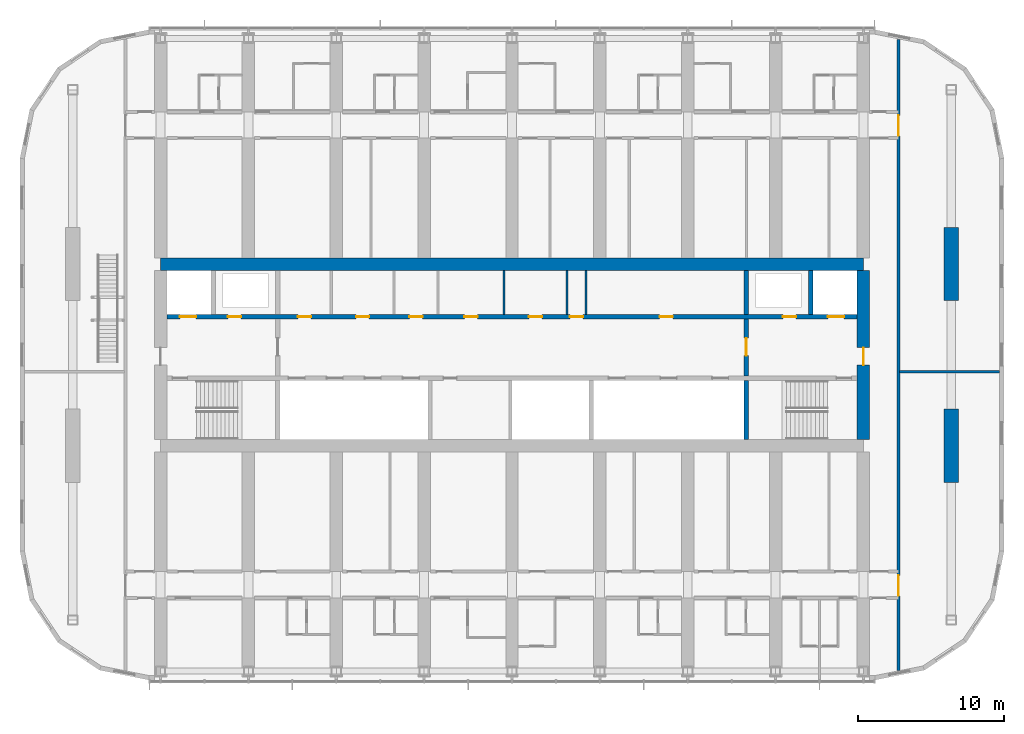
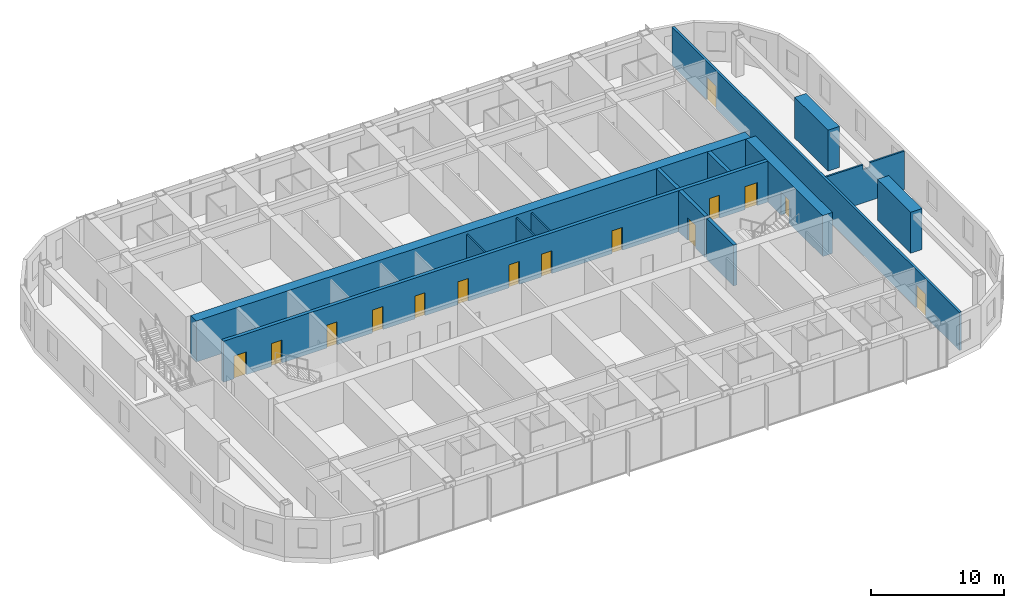
# One storey, part 16 of 27: 15 doors, 14 walls, 15 openings.
"""IFC4 building model written with IfcOpenShell, lengths in metres."""

import ifcopenshell
import ifcopenshell.guid

model = None  # the IFC model being written
_history = None  # IfcOwnerHistory: only IFC2X3 demands one
_inside = {}  # id of a spatial element -> (the spatial element, [elements in it])
_under = {}  # id of a project, library or spatial element -> (it, [spatial elements below it])
_declared = {}  # id of a project -> (the project, [libraries it declares])
_typed = {}  # id of a type object -> (the type object, [elements of that type])
_made_of = {}  # id of a material, layer set ... -> (it, [elements and type objects made of it])


def new_model(schema):
    """Start an empty IFC model of exactly this schema.

    Asked for "IFC4X3", IfcOpenShell would pick the latest addendum, in which some entities
    have other attributes; the version numbers below select the first issue.
    IFC2X3 requires an IfcOwnerHistory on every rooted entity: one is made here for all.
    """
    global model, _history
    if schema == "IFC4X3":
        model = ifcopenshell.file(schema_version=(4, 3, 0, 0))
    else:
        model = ifcopenshell.file(schema=schema)
    _inside.clear()
    _under.clear()
    _declared.clear()
    _typed.clear()
    _made_of.clear()
    _history = None
    if model.schema == "IFC2X3":
        org = make("IfcOrganization", Name="unknown")
        user = make(
            "IfcPersonAndOrganization",
            ThePerson=make("IfcPerson", FamilyName="unknown"),
            TheOrganization=org,
        )
        app = make(
            "IfcApplication",
            ApplicationDeveloper=org,
            Version="unknown",
            ApplicationFullName="unknown",
            ApplicationIdentifier="unknown",
        )
        _history = make(
            "IfcOwnerHistory",
            OwningUser=user,
            OwningApplication=app,
            ChangeAction="ADDED",
            CreationDate=0,
        )
    return model


def make(cls, **values):
    """One entity of the class cls with the attributes given. An attribute that is None is left unset."""
    return model.create_entity(
        cls, **{name: value for name, value in values.items() if value is not None}
    )


def rooted(cls, **values):
    """An entity with a GlobalId (a new one), such as an element, a storey or a relation."""
    return make(cls, GlobalId=ifcopenshell.guid.new(), OwnerHistory=_history, **values)


def si_unit(unit_type, name, prefix=None):
    """IfcSIUnit, for example si_unit("LENGTHUNIT", "METRE", prefix="MILLI")."""
    return make("IfcSIUnit", UnitType=unit_type, Prefix=prefix, Name=name)


def assignment(units):
    """IfcUnitAssignment: the units of a project."""
    return None if units is None else make("IfcUnitAssignment", Units=units)


def point(xyz):
    """IfcCartesianPoint."""
    return None if xyz is None else make("IfcCartesianPoint", Coordinates=xyz)


def direction(xyz):
    """IfcDirection."""
    return None if xyz is None else make("IfcDirection", DirectionRatios=xyz)


def frame(location, z_axis=None, x_axis=None):
    """IfcAxis2Placement3D, a coordinate frame: its origin and axes. An axis left out is left unset."""
    return make(
        "IfcAxis2Placement3D",
        Location=point(location),
        Axis=direction(z_axis),
        RefDirection=direction(x_axis),
    )


def frame_2d(location, x_axis=None):
    """IfcAxis2Placement2D, a coordinate frame in the plane: its origin and x axis."""
    return make(
        "IfcAxis2Placement2D", Location=point(location), RefDirection=direction(x_axis)
    )


def origin():
    """The frame at (0, 0, 0) with its axes left unset."""
    return frame((0.0, 0.0, 0.0))


def place(relative_to, where):
    """IfcLocalPlacement: puts the frame where relative to a parent placement (None: the world)."""
    return make(
        "IfcLocalPlacement", PlacementRelTo=relative_to, RelativePlacement=where
    )


def context(
    kind, dimensions, precision=None, world=None, true_north=None, identifier=None
):
    """IfcGeometricRepresentationContext, for example the 3D "Model" context."""
    return make(
        "IfcGeometricRepresentationContext",
        ContextIdentifier=identifier,
        ContextType=kind,
        CoordinateSpaceDimension=dimensions,
        Precision=precision,
        WorldCoordinateSystem=world,
        TrueNorth=true_north,
    )


def subcontext(parent, identifier, kind, view, scale=None):
    """IfcGeometricRepresentationSubContext, for example "Body" below "Model"."""
    return make(
        "IfcGeometricRepresentationSubContext",
        ContextIdentifier=identifier,
        ContextType=kind,
        ParentContext=parent,
        TargetScale=scale,
        TargetView=view,
    )


def project(units=None, contexts=None):
    """IfcProject with its units and contexts."""
    return rooted(
        "IfcProject",
        Name="project",
        RepresentationContexts=contexts,
        UnitsInContext=assignment(units),
    )


def spatial(cls, under=None, at=None, **own):
    """A site, building, storey or space (cls), placed at a placement, below another one or the project."""
    s = rooted(cls, ObjectPlacement=at, **own)
    if under is not None:
        _under.setdefault(under.id(), (under, []))[1].append(s)
    return s


def polyline(points):
    """IfcPolyline through the points."""
    return make("IfcPolyline", Points=[point(p) for p in points])


def profile(cls, at=None, kind="AREA", **sizes):
    """A parametric profile (cls). Its sizes go by their IFC names, for example OverallWidth=200.0."""
    return make(cls, ProfileType=kind, Position=at, **sizes)


def rectangle(**sizes):
    """IfcRectangleProfileDef."""
    return profile("IfcRectangleProfileDef", **sizes)


def outline(outer, holes=None, kind="AREA"):
    """IfcArbitraryClosedProfileDef: a profile drawn as a closed curve; with holes, ...WithVoids."""
    if holes is None:
        return make("IfcArbitraryClosedProfileDef", ProfileType=kind, OuterCurve=outer)
    return make(
        "IfcArbitraryProfileDefWithVoids",
        ProfileType=kind,
        OuterCurve=outer,
        InnerCurves=holes,
    )


def extrude(swept, where, along, depth):
    """IfcExtrudedAreaSolid: the profile swept, set in the frame where, extruded along a direction by depth."""
    return make(
        "IfcExtrudedAreaSolid",
        SweptArea=swept,
        Position=where,
        ExtrudedDirection=direction(along),
        Depth=depth,
    )


def shape(context_of_items, identifier, shape_type, items):
    """IfcShapeRepresentation: the items that make up one representation, for example the "Body"."""
    return make(
        "IfcShapeRepresentation",
        ContextOfItems=context_of_items,
        RepresentationIdentifier=identifier,
        RepresentationType=shape_type,
        Items=items,
    )


def material(Name=None, Category=None):
    """IfcMaterial."""
    return make("IfcMaterial", Name=Name, Category=Category)


def layer(
    of_material, thickness, ventilated=None, Name=None, Category=None, Priority=None
):
    """IfcMaterialLayer: one layer of a wall or slab, of a material (None: an air gap)."""
    return make(
        "IfcMaterialLayer",
        Material=of_material,
        LayerThickness=thickness,
        IsVentilated=ventilated,
        Name=Name,
        Category=Category,
        Priority=Priority,
    )


def layer_set(layers, Name=None):
    """IfcMaterialLayerSet."""
    return make("IfcMaterialLayerSet", MaterialLayers=layers, LayerSetName=Name)


def made_of(thing, what):
    """Note that an element or type object is made of a material, layer set ...; save() writes the relation."""
    if what is not None:
        _made_of.setdefault(what.id(), (what, []))[1].append(thing)
    return thing


def type_object(cls, material=None, **own):
    """A type object (cls), such as IfcWallType, which elements share."""
    return made_of(rooted(cls, **own), material)


def element(
    cls,
    number,
    at=None,
    inside=None,
    cuts=None,
    type_object=None,
    material=None,
    context=None,
    identifier="Body",
    shape_type=None,
    held_by="IfcProductDefinitionShape",
    body=None,
    shapes=None,
    **own,
):
    """One element of the class cls, such as IfcWall. Its Tag is "e" and its number.

    at: its placement. inside: the storey or other place that contains it. cuts: it is an
    opening in that element (IfcRelVoidsElement). A single representation is given by context,
    identifier, shape_type and body (its items); several are given by shapes. held_by: the class
    of the entity that holds the representations. save() writes the other relations.
    """
    e = rooted(cls, Tag="e%d" % number, ObjectPlacement=at, **own)
    if body is not None:
        shapes = [shape(context, identifier, shape_type, body)]
    if shapes is not None:
        e.Representation = make(held_by, Representations=shapes)
    if inside is not None:
        _inside.setdefault(inside.id(), (inside, []))[1].append(e)
    if cuts is not None:
        rooted(
            "IfcRelVoidsElement", RelatingBuildingElement=cuts, RelatedOpeningElement=e
        )
    if type_object is not None:
        _typed.setdefault(type_object.id(), (type_object, []))[1].append(e)
    return made_of(e, material)


def fill(opening, filler):
    """IfcRelFillsElement: the door or window that sits in an opening."""
    return rooted(
        "IfcRelFillsElement",
        RelatingOpeningElement=opening,
        RelatedBuildingElement=filler,
    )


def aggregate(whole, parts):
    """IfcRelAggregates: a whole, such as a stair, and the parts it consists of."""
    return rooted("IfcRelAggregates", RelatingObject=whole, RelatedObjects=parts)


def save(model, path):
    """Write the relations noted so far, then the file.

    IfcRelAggregates (storeys below a building ...), IfcRelContainedInSpatialStructure (elements
    in a storey), IfcRelDefinesByType, IfcRelAssociatesMaterial and IfcRelDeclares: one each for
    every whole, place, type object, material and project.
    """
    for whole, parts in _under.values():
        aggregate(whole, parts)
    for where, things in _inside.values():
        rooted(
            "IfcRelContainedInSpatialStructure",
            RelatedElements=things,
            RelatingStructure=where,
        )
    for kind, things in _typed.values():
        rooted("IfcRelDefinesByType", RelatedObjects=things, RelatingType=kind)
    for what, things in _made_of.values():
        rooted("IfcRelAssociatesMaterial", RelatedObjects=things, RelatingMaterial=what)
    for by, libraries in _declared.values():
        rooted("IfcRelDeclares", RelatingContext=by, RelatedDefinitions=libraries)
    model.write(path)


model = new_model("IFC4")

# Units and contexts
model_context = context("Model", 3, precision=1e-05, world=origin(), true_north=direction((0.0, 1.0)))
body_context = subcontext(model_context, "Body", "Model", "MODEL_VIEW")
ifc_project = project(units=[si_unit("LENGTHUNIT", "METRE"), si_unit("AREAUNIT", "SQUARE_METRE"), si_unit("VOLUMEUNIT", "CUBIC_METRE"), si_unit("PLANEANGLEUNIT", "RADIAN"), si_unit("MASSUNIT", "GRAM", prefix="KILO")], contexts=[model_context])

# Site, building, storey
site_placement = place(None, origin())
site = spatial("IfcSite", under=ifc_project, at=site_placement, CompositionType="ELEMENT")
building_placement = place(site_placement, origin())
building = spatial("IfcBuilding", under=site, at=building_placement, Name="Orbita Commons", CompositionType="ELEMENT")
storey_placement = place(building_placement, frame((0.0, 0.0, 178.60009765625)))
storey = spatial("IfcBuildingStorey", under=building, at=storey_placement, Name="L44", CompositionType="ELEMENT", Elevation=178.60009765625)

# Wall, openings, doors
ifc_material_1 = material(Name="Concrete C50/60", Category="concrete")
ifc_layer_1 = layer(ifc_material_1, 0.300048828125)
ifc_layer_set_1 = layer_set([ifc_layer_1], Name="Concrete C50/60")
wall_type_1 = type_object("IfcWallType", Name="Core inner wall 300 C50/60", PredefinedType="SHEAR", material=ifc_layer_set_1)
wall_1_placement = place(storey_placement, frame((18.425048828125, 34.60009765625, 0.0), z_axis=(0.0, 0.0, 1.0), x_axis=(1.0, 0.0, 0.0)))
wall_1 = element("IfcWall", 1, at=wall_1_placement, inside=storey, type_object=wall_type_1, Name="Lobby wall north L44", PredefinedType="SHEAR", context=body_context, shape_type="SweptSolid", body=[
    extrude(rectangle(XDim=47.14990234375, YDim=0.300048828125, at=frame_2d((23.574951171875, 0.0))), origin(), (0.0, 0.0, 1.0), 3.75),
])
opening_1_placement = place(wall_1_placement, frame((0.89990234375, 0.0, 0.0)))
opening_1 = element("IfcOpeningElement", 2, at=opening_1_placement, cuts=wall_1, Name="Opening LD01", PredefinedType="OPENING", context=body_context, shape_type="SweptSolid", body=[
    extrude(rectangle(XDim=1.10009765625, YDim=2.10009765625, at=frame_2d((0.550048828125, 1.050048828125))), frame((0.0, 0.159912109375, 0.0), z_axis=(0.0, -1.0, 0.0), x_axis=(1.0, 0.0, 0.0)), (0.0, 0.0, 1.0), 0.320068359375),
])
opening_2_placement = place(wall_1_placement, frame((45.14990234375, 0.0, 0.0)))
opening_2 = element("IfcOpeningElement", 3, at=opening_2_placement, cuts=wall_1, Name="Opening LD01", PredefinedType="OPENING", context=body_context, shape_type="SweptSolid", body=[
    extrude(rectangle(XDim=1.10009765625, YDim=2.10009765625, at=frame_2d((0.550048828125, 1.050048828125))), frame((0.0, 0.159912109375, 0.0), z_axis=(0.0, -1.0, 0.0), x_axis=(1.0, 0.0, 0.0)), (0.0, 0.0, 1.0), 0.320068359375),
])
opening_3_placement = place(wall_1_placement, frame((4.175048828125, 0.0, 0.0)))
opening_3 = element("IfcOpeningElement", 4, at=opening_3_placement, cuts=wall_1, Name="Opening D03", PredefinedType="OPENING", context=body_context, shape_type="SweptSolid", body=[
    extrude(rectangle(XDim=0.89990234375, YDim=2.10009765625, at=frame_2d((0.449951171875, 1.050048828125))), frame((0.0, 0.159912109375, 0.0), z_axis=(0.0, -1.0, 0.0), x_axis=(1.0, 0.0, 0.0)), (0.0, 0.0, 1.0), 0.320068359375),
])
opening_4_placement = place(wall_1_placement, frame((42.074951171875, 0.0, 0.0)))
opening_4 = element("IfcOpeningElement", 5, at=opening_4_placement, cuts=wall_1, Name="Opening D03", PredefinedType="OPENING", context=body_context, shape_type="SweptSolid", body=[
    extrude(rectangle(XDim=0.89990234375, YDim=2.10009765625, at=frame_2d((0.449951171875, 1.050048828125))), frame((0.0, 0.159912109375, 0.0), z_axis=(0.0, -1.0, 0.0), x_axis=(1.0, 0.0, 0.0)), (0.0, 0.0, 1.0), 0.320068359375),
])
opening_5_placement = place(wall_1_placement, frame((8.950439453125, 0.0, 0.0)))
opening_5 = element("IfcOpeningElement", 6, at=opening_5_placement, cuts=wall_1, Name="Opening D05", PredefinedType="OPENING", context=body_context, shape_type="SweptSolid", body=[
    extrude(rectangle(XDim=0.89990234375, YDim=2.10009765625, at=frame_2d((0.449951171875, 1.050048828125))), frame((0.0, 0.159912109375, 0.0), z_axis=(0.0, -1.0, 0.0), x_axis=(1.0, 0.0, 0.0)), (0.0, 0.0, 1.0), 0.320068359375),
])
opening_6_placement = place(wall_1_placement, frame((12.923583984375, 0.0, 0.0)))
opening_6 = element("IfcOpeningElement", 7, at=opening_6_placement, cuts=wall_1, Name="Opening D03", PredefinedType="OPENING", context=body_context, shape_type="SweptSolid", body=[
    extrude(rectangle(XDim=0.89990234375, YDim=2.10009765625, at=frame_2d((0.449951171875, 1.050048828125))), frame((0.0, 0.159912109375, 0.0), z_axis=(0.0, -1.0, 0.0), x_axis=(1.0, 0.0, 0.0)), (0.0, 0.0, 1.0), 0.320068359375),
])
opening_7_placement = place(wall_1_placement, frame((16.5712890625, 0.0, 0.0)))
opening_7 = element("IfcOpeningElement", 8, at=opening_7_placement, cuts=wall_1, Name="Opening D03", PredefinedType="OPENING", context=body_context, shape_type="SweptSolid", body=[
    extrude(rectangle(XDim=0.89990234375, YDim=2.10009765625, at=frame_2d((0.449951171875, 1.050048828125))), frame((0.0, 0.159912109375, 0.0), z_axis=(0.0, -1.0, 0.0), x_axis=(1.0, 0.0, 0.0)), (0.0, 0.0, 1.0), 0.320068359375),
])
opening_8_placement = place(wall_1_placement, frame((20.32958984375, 0.0, 0.0)))
opening_8 = element("IfcOpeningElement", 9, at=opening_8_placement, cuts=wall_1, Name="Opening D05", PredefinedType="OPENING", context=body_context, shape_type="SweptSolid", body=[
    extrude(rectangle(XDim=0.89990234375, YDim=2.10009765625, at=frame_2d((0.449951171875, 1.050048828125))), frame((0.0, 0.159912109375, 0.0), z_axis=(0.0, -1.0, 0.0), x_axis=(1.0, 0.0, 0.0)), (0.0, 0.0, 1.0), 0.320068359375),
])
opening_9_placement = place(wall_1_placement, frame((24.735595703125, 0.0, 0.0)))
opening_9 = element("IfcOpeningElement", 10, at=opening_9_placement, cuts=wall_1, Name="Opening D03", PredefinedType="OPENING", context=body_context, shape_type="SweptSolid", body=[
    extrude(rectangle(XDim=0.89990234375, YDim=2.10009765625, at=frame_2d((0.449951171875, 1.050048828125))), frame((0.0, 0.159912109375, 0.0), z_axis=(0.0, -1.0, 0.0), x_axis=(1.0, 0.0, 0.0)), (0.0, 0.0, 1.0), 0.320068359375),
])
opening_10_placement = place(wall_1_placement, frame((27.533447265625, 0.0, 0.0)))
opening_10 = element("IfcOpeningElement", 11, at=opening_10_placement, cuts=wall_1, Name="Opening D03", PredefinedType="OPENING", context=body_context, shape_type="SweptSolid", body=[
    extrude(rectangle(XDim=0.89990234375, YDim=2.10009765625, at=frame_2d((0.449951171875, 1.050048828125))), frame((0.0, 0.159912109375, 0.0), z_axis=(0.0, -1.0, 0.0), x_axis=(1.0, 0.0, 0.0)), (0.0, 0.0, 1.0), 0.320068359375),
])
opening_11_placement = place(wall_1_placement, frame((33.654296875, 0.0, 0.0)))
opening_11 = element("IfcOpeningElement", 12, at=opening_11_placement, cuts=wall_1, Name="Opening D03", PredefinedType="OPENING", context=body_context, shape_type="SweptSolid", body=[
    extrude(rectangle(XDim=0.89990234375, YDim=2.10009765625, at=frame_2d((0.449951171875, 1.050048828125))), frame((0.0, 0.159912109375, 0.0), z_axis=(0.0, -1.0, 0.0), x_axis=(1.0, 0.0, 0.0)), (0.0, 0.0, 1.0), 0.320068359375),
])
ifc_material_2 = material(Name="Steel-faced fire door leaf", Category="steel")
door_type_1 = type_object("IfcDoorType", Name="Firefighting lift landing door 1100x2100", OperationType="DOUBLE_DOOR_SLIDING", PredefinedType="DOOR", material=ifc_material_2)
door_1_placement = place(opening_1_placement, origin())
door_1 = element("IfcDoor", 13, at=door_1_placement, inside=storey, type_object=door_type_1, Name="Firefighting lift FL1 landing door", OperationType="DOUBLE_DOOR_SLIDING", OverallHeight=2.10009765625, OverallWidth=1.10009765625, PredefinedType="DOOR", context=body_context, shape_type="SweptSolid", body=[
    extrude(rectangle(XDim=1.10009765625, YDim=2.10009765625, at=frame_2d((0.550048828125, 1.050048828125))), frame((0.0, 0.02490234375, 0.0), z_axis=(0.0, -1.0, 0.0), x_axis=(1.0, 0.0, 0.0)), (0.0, 0.0, 1.0), 0.050048828125),
])
fill(opening_1, door_1)
door_2_placement = place(opening_2_placement, origin())
door_2 = element("IfcDoor", 14, at=door_2_placement, inside=storey, type_object=door_type_1, Name="Firefighting lift FL2 landing door", OperationType="DOUBLE_DOOR_SLIDING", OverallHeight=2.10009765625, OverallWidth=1.10009765625, PredefinedType="DOOR", context=body_context, shape_type="SweptSolid", body=[
    extrude(rectangle(XDim=1.10009765625, YDim=2.10009765625, at=frame_2d((0.550048828125, 1.050048828125))), frame((0.0, 0.02490234375, 0.0), z_axis=(0.0, -1.0, 0.0), x_axis=(1.0, 0.0, 0.0)), (0.0, 0.0, 1.0), 0.050048828125),
])
fill(opening_2, door_2)
ifc_material_3 = material(Name="Steel-faced fire door leaf", Category="steel")
door_type_2 = type_object("IfcDoorType", Name="Service door 20 min 900x2100", OperationType="SINGLE_SWING_LEFT", PredefinedType="DOOR", material=ifc_material_3)
door_3_placement = place(opening_5_placement, origin())
door_3 = element("IfcDoor", 15, at=door_3_placement, inside=storey, type_object=door_type_2, Name="Staff WC door", OperationType="SINGLE_SWING_LEFT", OverallHeight=2.10009765625, OverallWidth=0.89990234375, PredefinedType="DOOR", context=body_context, shape_type="SweptSolid", body=[
    extrude(rectangle(XDim=0.89990234375, YDim=2.10009765625, at=frame_2d((0.449951171875, 1.050048828125))), frame((0.0, 0.02490234375, 0.0), z_axis=(0.0, -1.0, 0.0), x_axis=(1.0, 0.0, 0.0)), (0.0, 0.0, 1.0), 0.050048828125),
])
fill(opening_5, door_3)
door_4_placement = place(opening_8_placement, origin())
door_4 = element("IfcDoor", 16, at=door_4_placement, inside=storey, type_object=door_type_2, Name="Accessible WC door", OperationType="SINGLE_SWING_LEFT", OverallHeight=2.10009765625, OverallWidth=0.89990234375, PredefinedType="DOOR", context=body_context, shape_type="SweptSolid", body=[
    extrude(rectangle(XDim=0.89990234375, YDim=2.10009765625, at=frame_2d((0.449951171875, 1.050048828125))), frame((0.0, 0.02490234375, 0.0), z_axis=(0.0, -1.0, 0.0), x_axis=(1.0, 0.0, 0.0)), (0.0, 0.0, 1.0), 0.050048828125),
])
fill(opening_8, door_4)
ifc_material_4 = material(Name="Steel-faced fire door leaf", Category="steel")
door_type_3 = type_object("IfcDoorType", Name="Shaft access door 90 min 900x2100", OperationType="SINGLE_SWING_LEFT", PredefinedType="DOOR", material=ifc_material_4)
door_5_placement = place(opening_3_placement, origin())
door_5 = element("IfcDoor", 17, at=door_5_placement, inside=storey, type_object=door_type_3, Name="Riser door west", OperationType="SINGLE_SWING_LEFT", OverallHeight=2.10009765625, OverallWidth=0.89990234375, PredefinedType="DOOR", context=body_context, shape_type="SweptSolid", body=[
    extrude(rectangle(XDim=0.89990234375, YDim=2.10009765625, at=frame_2d((0.449951171875, 1.050048828125))), frame((0.0, 0.02490234375, 0.0), z_axis=(0.0, -1.0, 0.0), x_axis=(1.0, 0.0, 0.0)), (0.0, 0.0, 1.0), 0.050048828125),
])
fill(opening_3, door_5)
door_6_placement = place(opening_4_placement, origin())
door_6 = element("IfcDoor", 18, at=door_6_placement, inside=storey, type_object=door_type_3, Name="Riser door east", OperationType="SINGLE_SWING_LEFT", OverallHeight=2.10009765625, OverallWidth=0.89990234375, PredefinedType="DOOR", context=body_context, shape_type="SweptSolid", body=[
    extrude(rectangle(XDim=0.89990234375, YDim=2.10009765625, at=frame_2d((0.449951171875, 1.050048828125))), frame((0.0, 0.02490234375, 0.0), z_axis=(0.0, -1.0, 0.0), x_axis=(1.0, 0.0, 0.0)), (0.0, 0.0, 1.0), 0.050048828125),
])
fill(opening_4, door_6)
door_7_placement = place(opening_6_placement, origin())
door_7 = element("IfcDoor", 19, at=door_7_placement, inside=storey, type_object=door_type_3, Name="Refuse chute room door", OperationType="SINGLE_SWING_LEFT", OverallHeight=2.10009765625, OverallWidth=0.89990234375, PredefinedType="DOOR", context=body_context, shape_type="SweptSolid", body=[
    extrude(rectangle(XDim=0.89990234375, YDim=2.10009765625, at=frame_2d((0.449951171875, 1.050048828125))), frame((0.0, 0.02490234375, 0.0), z_axis=(0.0, -1.0, 0.0), x_axis=(1.0, 0.0, 0.0)), (0.0, 0.0, 1.0), 0.050048828125),
])
fill(opening_6, door_7)
door_8_placement = place(opening_7_placement, origin())
door_8 = element("IfcDoor", 20, at=door_8_placement, inside=storey, type_object=door_type_3, Name="Electrical riser room door", OperationType="SINGLE_SWING_LEFT", OverallHeight=2.10009765625, OverallWidth=0.89990234375, PredefinedType="DOOR", context=body_context, shape_type="SweptSolid", body=[
    extrude(rectangle(XDim=0.89990234375, YDim=2.10009765625, at=frame_2d((0.449951171875, 1.050048828125))), frame((0.0, 0.02490234375, 0.0), z_axis=(0.0, -1.0, 0.0), x_axis=(1.0, 0.0, 0.0)), (0.0, 0.0, 1.0), 0.050048828125),
])
fill(opening_7, door_8)
door_9_placement = place(opening_9_placement, origin())
door_9 = element("IfcDoor", 21, at=door_9_placement, inside=storey, type_object=door_type_3, Name="Communications room door", OperationType="SINGLE_SWING_LEFT", OverallHeight=2.10009765625, OverallWidth=0.89990234375, PredefinedType="DOOR", context=body_context, shape_type="SweptSolid", body=[
    extrude(rectangle(XDim=0.89990234375, YDim=2.10009765625, at=frame_2d((0.449951171875, 1.050048828125))), frame((0.0, 0.02490234375, 0.0), z_axis=(0.0, -1.0, 0.0), x_axis=(1.0, 0.0, 0.0)), (0.0, 0.0, 1.0), 0.050048828125),
])
fill(opening_9, door_9)
door_10_placement = place(opening_10_placement, origin())
door_10 = element("IfcDoor", 22, at=door_10_placement, inside=storey, type_object=door_type_3, Name="Stair pressurisation duct door", OperationType="SINGLE_SWING_LEFT", OverallHeight=2.10009765625, OverallWidth=0.89990234375, PredefinedType="DOOR", context=body_context, shape_type="SweptSolid", body=[
    extrude(rectangle(XDim=0.89990234375, YDim=2.10009765625, at=frame_2d((0.449951171875, 1.050048828125))), frame((0.0, 0.02490234375, 0.0), z_axis=(0.0, -1.0, 0.0), x_axis=(1.0, 0.0, 0.0)), (0.0, 0.0, 1.0), 0.050048828125),
])
fill(opening_10, door_10)
door_11_placement = place(opening_11_placement, origin())
door_11 = element("IfcDoor", 23, at=door_11_placement, inside=storey, type_object=door_type_3, Name="Linen and housekeeping store door", OperationType="SINGLE_SWING_LEFT", OverallHeight=2.10009765625, OverallWidth=0.89990234375, PredefinedType="DOOR", context=body_context, shape_type="SweptSolid", body=[
    extrude(rectangle(XDim=0.89990234375, YDim=2.10009765625, at=frame_2d((0.449951171875, 1.050048828125))), frame((0.0, 0.02490234375, 0.0), z_axis=(0.0, -1.0, 0.0), x_axis=(1.0, 0.0, 0.0)), (0.0, 0.0, 1.0), 0.050048828125),
])
fill(opening_11, door_11)

# Wall
wall_2_placement = place(storey_placement, frame((58.0, 26.22509765625, 0.0), z_axis=(0.0, 0.0, 1.0), x_axis=(0.0, 1.0, 0.0)))
element("IfcWall", 24, at=wall_2_placement, inside=storey, type_object=wall_type_1, Name="Stair S2 wall L44", PredefinedType="SHEAR", context=body_context, shape_type="SweptSolid", body=[
    extrude(rectangle(XDim=4.02490234375, YDim=0.300048828125, at=frame_2d((2.012451171875, 0.0))), origin(), (0.0, 0.0, 1.0), 3.75),
])

# Wall, opening, door
wall_3_placement = place(storey_placement, frame((58.0, 30.550048828125, 0.0), z_axis=(0.0, 0.0, 1.0), x_axis=(0.0, 1.0, 0.0)))
wall_3 = element("IfcWall", 25, at=wall_3_placement, inside=storey, type_object=wall_type_1, Name="Firefighting lobby wall east L44", PredefinedType="SHEAR", context=body_context, shape_type="SweptSolid", body=[
    extrude(rectangle(XDim=3.89990234375, YDim=0.300048828125, at=frame_2d((1.949951171875, 0.0))), origin(), (0.0, 0.0, 1.0), 3.75),
])
opening_12_placement = place(wall_3_placement, frame((1.39990234375, 0.0, 0.0)))
opening_12 = element("IfcOpeningElement", 26, at=opening_12_placement, cuts=wall_3, Name="Opening D04", PredefinedType="OPENING", context=body_context, shape_type="SweptSolid", body=[
    extrude(rectangle(XDim=1.199951171875, YDim=2.10009765625, at=frame_2d((0.60009765625, 1.050048828125))), frame((0.0, 0.159912109375, 0.0), z_axis=(0.0, -1.0, 0.0), x_axis=(1.0, 0.0, 0.0)), (0.0, 0.0, 1.0), 0.320068359375),
])
ifc_material_5 = material(Name="Steel-faced fire door leaf", Category="steel")
door_type_4 = type_object("IfcDoorType", Name="Service door 20 min 1200x2100", OperationType="SINGLE_SWING_LEFT", PredefinedType="DOOR", material=ifc_material_5)
door_12_placement = place(opening_12_placement, origin())
door_12 = element("IfcDoor", 27, at=door_12_placement, inside=storey, type_object=door_type_4, Name="Lift lobby door east", OperationType="SINGLE_SWING_LEFT", OverallHeight=2.10009765625, OverallWidth=1.199951171875, PredefinedType="DOOR", context=body_context, shape_type="SweptSolid", body=[
    extrude(rectangle(XDim=1.199951171875, YDim=2.10009765625, at=frame_2d((0.60009765625, 1.050048828125))), frame((0.0, 0.02490234375, 0.0), z_axis=(0.0, -1.0, 0.0), x_axis=(1.0, 0.0, 0.0)), (0.0, 0.0, 1.0), 0.050048828125),
])
fill(opening_12, door_12)

# Walls
for number, where, z_axis, x_axis, name in (
    (28, (62.39990234375, 34.75, 0.0), (0.0, 0.0, 1.0), (0.0, 1.0, 0.0), "Firefighting lift FL2 shaft wall L44"),
    (29, (58.0, 34.75, 0.0), (0.0, 0.0, 1.0), (0.0, 1.0, 0.0), "Riser wall east L44"),
):
    element("IfcWall", number, at=place(storey_placement, frame(where, z_axis=z_axis, x_axis=x_axis)), inside=storey, type_object=wall_type_1, Name=name, PredefinedType="SHEAR", context=body_context, shape_type="SweptSolid", body=[
        extrude(rectangle(XDim=3.02490234375, YDim=0.300048828125, at=frame_2d((1.512451171875, 0.0))), origin(), (0.0, 0.0, 1.0), 3.75),
    ])
ifc_material_6 = material(Name="Concrete blockwork", Category="masonry")
ifc_layer_2 = layer(ifc_material_6, 0.14990234375)
ifc_layer_set_2 = layer_set([ifc_layer_2], Name="Concrete blockwork")
wall_type_2 = type_object("IfcWallType", Name="Core partition 150 blockwork", PredefinedType="SOLIDWALL", material=ifc_layer_set_2)
for number, where, z_axis, x_axis, name in (
    (30, (41.463134765625, 34.75, 0.0), (0.0, 0.0, 1.0), (0.0, 1.0, 0.0), "Core partition 150 blockwork L44"),
    (31, (45.75830078125, 34.75, 0.0), (0.0, 0.0, 1.0), (0.0, 1.0, 0.0), "Core partition 150 blockwork L44"),
    (32, (47.058349609375, 34.75, 0.0), (0.0, 0.0, 1.0), (0.0, 1.0, 0.0), "Core partition 150 blockwork L44"),
):
    element("IfcWall", number, at=place(storey_placement, frame(where, z_axis=z_axis, x_axis=x_axis)), inside=storey, type_object=wall_type_2, Name=name, PredefinedType="SOLIDWALL", context=body_context, shape_type="SweptSolid", body=[
        extrude(rectangle(XDim=3.02490234375, YDim=0.14990234375, at=frame_2d((1.512451171875, 0.0))), origin(), (0.0, 0.0, 1.0), 3.5),
    ])
ifc_material_7 = material(Name="Concrete C50/60", Category="concrete")
ifc_layer_3 = layer(ifc_material_7, 0.85009765625)
ifc_layer_set_3 = layer_set([ifc_layer_3], Name="Concrete C50/60")
wall_type_3 = type_object("IfcWallType", Name="Core wall 850 C50/60", PredefinedType="SHEAR", material=ifc_layer_set_3)
wall_4_placement = place(storey_placement, frame((18.0, 38.199951171875, 0.0), z_axis=(0.0, 0.0, 1.0), x_axis=(1.0, 0.0, 0.0)))
element("IfcWall", 33, at=wall_4_placement, inside=storey, type_object=wall_type_3, Name="Core spine wall north L44", PredefinedType="SHEAR", context=body_context, shape_type="SweptSolid", body=[
    extrude(rectangle(XDim=48.0, YDim=0.85009765625, at=frame_2d((24.0, 0.0))), origin(), (0.0, 0.0, 1.0), 3.75),
])

# Wall, opening, door
wall_5_placement = place(storey_placement, frame((66.0, 26.22509765625, 0.0), z_axis=(0.0, 0.0, 1.0), x_axis=(0.0, 1.0, 0.0)))
wall_5 = element("IfcWall", 34, at=wall_5_placement, inside=storey, type_object=wall_type_3, Name="Core end wall east L44", PredefinedType="SHEAR", context=body_context, shape_type="SweptSolid", body=[
    extrude(rectangle(XDim=11.5498046875, YDim=0.85009765625, at=frame_2d((5.77490234375, 0.0))), origin(), (0.0, 0.0, 1.0), 3.75),
])
opening_13_placement = place(wall_5_placement, frame((5.074951171875, 0.0, 0.0)))
opening_13 = element("IfcOpeningElement", 35, at=opening_13_placement, cuts=wall_5, Name="Opening D01", PredefinedType="OPENING", context=body_context, shape_type="SweptSolid", body=[
    extrude(rectangle(XDim=1.199951171875, YDim=2.10009765625, at=frame_2d((0.60009765625, 1.050048828125))), frame((0.0, 0.43505859375, 0.0), z_axis=(0.0, -1.0, 0.0), x_axis=(1.0, 0.0, 0.0)), (0.0, 0.0, 1.0), 0.8701171875),
])
ifc_material_8 = material(Name="Steel-faced fire door leaf", Category="steel")
door_type_5 = type_object("IfcDoorType", Name="Fire door 90 min 1200x2100", OperationType="SINGLE_SWING_LEFT", PredefinedType="DOOR", material=ifc_material_8)
door_13_placement = place(opening_13_placement, origin())
door_13 = element("IfcDoor", 36, at=door_13_placement, inside=storey, type_object=door_type_5, Name="Firefighting lobby east door", OperationType="SINGLE_SWING_LEFT", OverallHeight=2.10009765625, OverallWidth=1.199951171875, PredefinedType="DOOR", context=body_context, shape_type="SweptSolid", body=[
    extrude(rectangle(XDim=1.199951171875, YDim=2.10009765625, at=frame_2d((0.60009765625, 1.050048828125))), frame((0.0, 0.02490234375, 0.0), z_axis=(0.0, -1.0, 0.0), x_axis=(1.0, 0.0, 0.0)), (0.0, 0.0, 1.0), 0.050048828125),
])
fill(opening_13, door_13)

# Wall, openings, doors
ifc_material_9 = material(Name="Concrete blockwork", Category="masonry")
ifc_layer_4 = layer(ifc_material_9, 0.199951171875)
ifc_layer_set_4 = layer_set([ifc_layer_4], Name="Concrete blockwork")
wall_type_4 = type_object("IfcWallType", Name="Corridor wall 200 blockwork", PredefinedType="SOLIDWALL", material=ifc_layer_set_4)
wall_6_placement = place(storey_placement, frame((68.39990234375, 10.4462890625, 0.0), z_axis=(0.0, 0.0, 1.0), x_axis=(0.0, 1.0, 0.0)))
wall_6 = element("IfcWall", 37, at=wall_6_placement, inside=storey, type_object=wall_type_4, Name="Corridor wall 200 blockwork L44", PredefinedType="SOLIDWALL", context=body_context, shape_type="SweptSolid", body=[
    extrude(rectangle(XDim=43.107421875, YDim=0.199951171875, at=frame_2d((21.5537109375, 0.0))), origin(), (0.0, 0.0, 1.0), 3.5),
])
opening_14_placement = place(wall_6_placement, frame((5.103759765625, 0.0, 0.0)))
opening_14 = element("IfcOpeningElement", 38, at=opening_14_placement, cuts=wall_6, Name="Opening D08", PredefinedType="OPENING", context=body_context, shape_type="SweptSolid", body=[
    extrude(rectangle(XDim=1.39990234375, YDim=2.10009765625, at=frame_2d((0.699951171875, 1.050048828125))), frame((0.0, 0.10986328125, 0.0), z_axis=(0.0, -1.0, 0.0), x_axis=(1.0, 0.0, 0.0)), (0.0, 0.0, 1.0), 0.219970703125),
])
opening_15_placement = place(wall_6_placement, frame((36.50390625, 0.0, 0.0)))
opening_15 = element("IfcOpeningElement", 39, at=opening_15_placement, cuts=wall_6, Name="Opening D08", PredefinedType="OPENING", context=body_context, shape_type="SweptSolid", body=[
    extrude(rectangle(XDim=1.39990234375, YDim=2.10009765625, at=frame_2d((0.699951171875, 1.050048828125))), frame((0.0, 0.10986328125, 0.0), z_axis=(0.0, -1.0, 0.0), x_axis=(1.0, 0.0, 0.0)), (0.0, 0.0, 1.0), 0.219970703125),
])
ifc_material_10 = material(Name="Steel-faced fire door leaf", Category="steel")
door_type_6 = type_object("IfcDoorType", Name="Double corridor door 20 min 1400x2100", OperationType="DOUBLE_DOOR_SINGLE_SWING", PredefinedType="DOOR", material=ifc_material_10)
door_14_placement = place(opening_14_placement, origin())
door_14 = element("IfcDoor", 40, at=door_14_placement, inside=storey, type_object=door_type_6, Name="Lounge doors", OperationType="DOUBLE_DOOR_SINGLE_SWING", OverallHeight=2.10009765625, OverallWidth=1.39990234375, PredefinedType="DOOR", context=body_context, shape_type="SweptSolid", body=[
    extrude(rectangle(XDim=1.39990234375, YDim=2.10009765625, at=frame_2d((0.699951171875, 1.050048828125))), frame((0.0, 0.02490234375, 0.0), z_axis=(0.0, -1.0, 0.0), x_axis=(1.0, 0.0, 0.0)), (0.0, 0.0, 1.0), 0.050048828125),
])
fill(opening_14, door_14)
door_15_placement = place(opening_15_placement, origin())
door_15 = element("IfcDoor", 41, at=door_15_placement, inside=storey, type_object=door_type_6, Name="Lounge doors", OperationType="DOUBLE_DOOR_SINGLE_SWING", OverallHeight=2.10009765625, OverallWidth=1.39990234375, PredefinedType="DOOR", context=body_context, shape_type="SweptSolid", body=[
    extrude(rectangle(XDim=1.39990234375, YDim=2.10009765625, at=frame_2d((0.699951171875, 1.050048828125))), frame((0.0, 0.02490234375, 0.0), z_axis=(0.0, -1.0, 0.0), x_axis=(1.0, 0.0, 0.0)), (0.0, 0.0, 1.0), 0.050048828125),
])
fill(opening_15, door_15)

# Walls
ifc_material_11 = material(Name="Concrete C50/60", Category="concrete")
ifc_layer_5 = layer(ifc_material_11, 1.0)
ifc_layer_set_5 = layer_set([ifc_layer_5], Name="Concrete C50/60")
wall_type_5 = type_object("IfcWallType", Name="End pier 1000x5000 C50/60", PredefinedType="SHEAR", material=ifc_layer_set_5)
for number, where, z_axis, x_axis, name in (
    (42, (72.0, 23.300048828125, 0.0), (0.0, 0.0, 1.0), (0.0, 1.0, 0.0), "End pier 13/C L44"),
    (43, (72.0, 35.699951171875, 0.0), (0.0, 0.0, 1.0), (0.0, 1.0, 0.0), "End pier 13/D L44"),
):
    element("IfcWall", number, at=place(storey_placement, frame(where, z_axis=z_axis, x_axis=x_axis)), inside=storey, type_object=wall_type_5, Name=name, PredefinedType="SHEAR", context=body_context, shape_type="SweptSolid", body=[
        extrude(rectangle(XDim=5.0, YDim=1.0, at=frame_2d((2.5, 0.0))), origin(), (0.0, 0.0, 1.0), 3.75),
    ])
ifc_material_12 = material(Name="Gypsum plasterboard on steel studs", Category="steel")
ifc_layer_6 = layer(ifc_material_12, 0.14990234375)
ifc_layer_set_6 = layer_set([ifc_layer_6], Name="Gypsum plasterboard on steel studs")
wall_type_6 = type_object("IfcWallType", Name="Partition 150 plasterboard", PredefinedType="PARTITIONING", material=ifc_layer_set_6)
wall_7_placement = place(storey_placement, frame((68.47509765625, 30.85009765625, 0.0), z_axis=(0.0, 0.0, 1.0), x_axis=(1.0, 0.0, 0.0)))
element("IfcWall", 44, at=wall_7_placement, inside=storey, type_object=wall_type_6, Name="Partition 150 plasterboard L44", PredefinedType="PARTITIONING", context=body_context, shape_type="SweptSolid", body=[
    extrude(outline(polyline([(0.0, 0.0), (6.81982421875, 0.0), (6.820068359375, 3.5), (3.826904296875, 3.5), (3.824951171875, 3.0498046875), (3.22705078125, 3.0498046875), (3.22509765625, 3.5), (0.0, 3.5), (0.0, 0.0)])), frame((0.0, 0.074951171875, 0.0), z_axis=(0.0, -1.0, 0.0), x_axis=(1.0, 0.0, 0.0)), (0.0, 0.0, 1.0), 0.14990234375),
])

save(model, "model.ifc")
